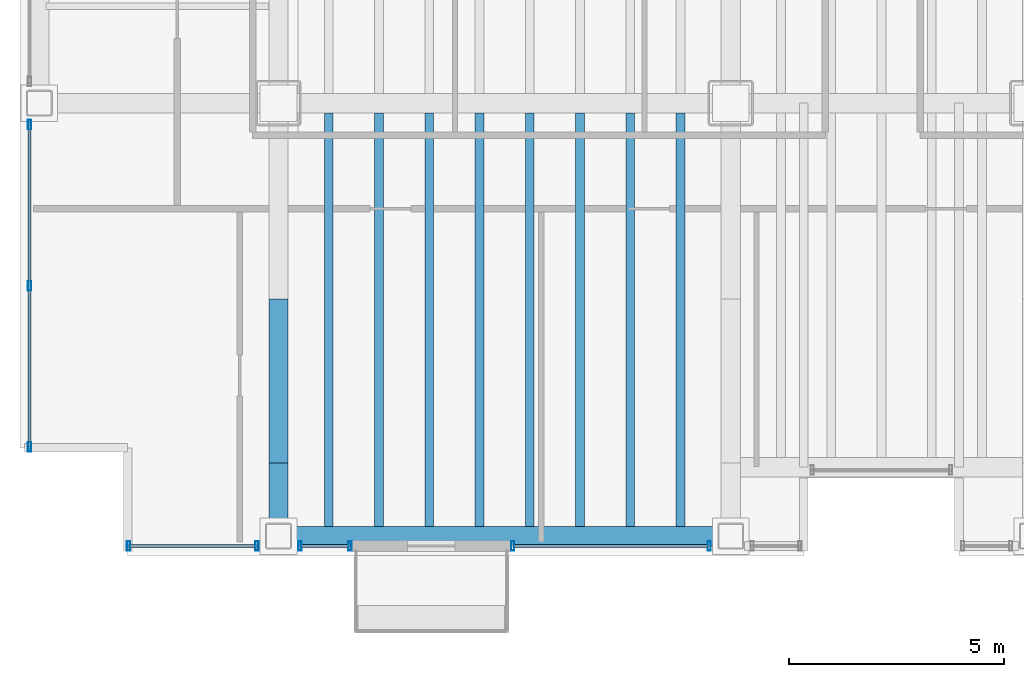
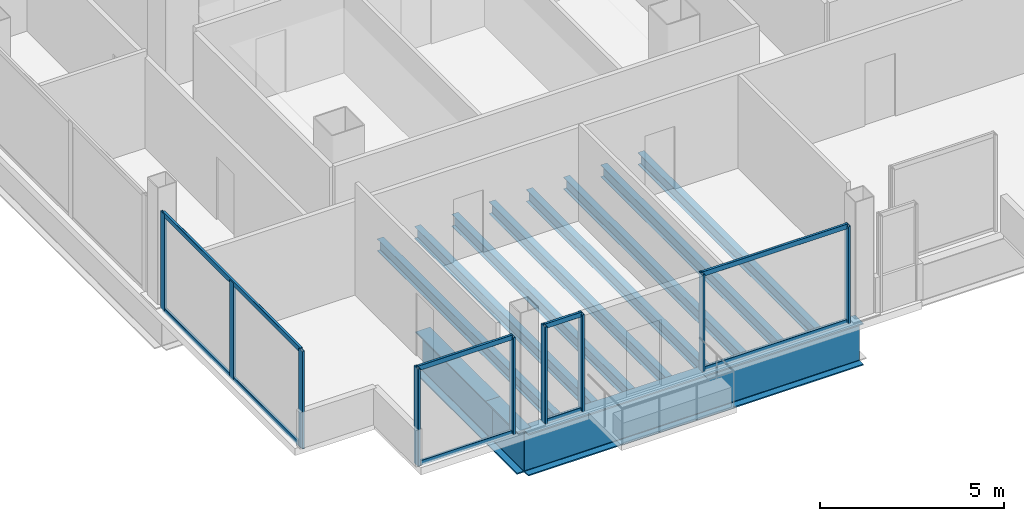
# One storey, part 2 of 21: 17 members, 11 beams, 4 elements without a shape of their own.
"""IFC4 building model written with IfcOpenShell, lengths in metres."""

from ifc_helpers import new_model, si_unit, direction, frame, origin, origin_2d, place, context, subcontext, project, spatial, hollow_rectangle, i_section, extrude, material, material_profile, profile_set, type_object, element, aggregate, save


model = new_model("IFC4")

# Units and contexts
model_context = context("Model", 3, precision=1e-05, world=origin(), true_north=direction((0.0, 1.0)))
body_context = subcontext(model_context, "Body", "Model", "MODEL_VIEW")
ifc_project = project(units=[si_unit("LENGTHUNIT", "METRE"), si_unit("AREAUNIT", "SQUARE_METRE"), si_unit("VOLUMEUNIT", "CUBIC_METRE"), si_unit("PLANEANGLEUNIT", "RADIAN"), si_unit("MASSUNIT", "GRAM", prefix="KILO")], contexts=[model_context])

# Site, building, storey
site_placement = place(None, origin())
site = spatial("IfcSite", under=ifc_project, at=site_placement, CompositionType="ELEMENT")
building_placement = place(site_placement, origin())
building = spatial("IfcBuilding", under=site, at=building_placement, Name="Noeulbin Bourse Tower", CompositionType="ELEMENT")
storey_placement = place(building_placement, frame((0.0, 0.0, 81.10009765625)))
storey = spatial("IfcBuildingStorey", under=building, at=storey_placement, Name="L20", CompositionType="ELEMENT", Elevation=81.10009765625)

# Beams
ifc_material_1 = material(Name="Steel S355", Category="steel")
ifc_material_profile_1 = material_profile(ifc_material_1, i_section(OverallWidth=0.199951171875, OverallDepth=0.39990234375, WebThickness=0.008056640625, FlangeThickness=0.012939453125, FilletRadius=0.01611328125, at=origin_2d()), Name="H-400x200x8x13", Category="LoadBearing")
ifc_profile_set_1 = profile_set([ifc_material_profile_1], Name="Steel S355")
beam_type_1 = type_object("IfcBeamType", Name="BM-SEC-400", PredefinedType="BEAM", material=ifc_profile_set_1)
for number, where, z_axis, x_axis, name in (
    (1, (14.666748046875, 10.175048828125, -0.440185546875), (0.0, 1.0, 0.0), (-1.0, 0.0, 0.0), "Tower Composite Joist L20-01"),
    (2, (15.833251953125, 10.175048828125, -0.440185546875), (0.0, 1.0, 0.0), (-1.0, 0.0, 0.0), "Tower Composite Joist L20-04"),
    (3, (17.0, 10.175048828125, -0.440185546875), (0.0, 1.0, 0.0), (-1.0, 0.0, 0.0), "Tower Composite Joist L20-07"),
    (4, (18.166748046875, 10.175048828125, -0.440185546875), (0.0, 1.0, 0.0), (-1.0, 0.0, 0.0), "Tower Composite Joist L20-10"),
    (5, (19.333251953125, 10.175048828125, -0.440185546875), (0.0, 1.0, 0.0), (-1.0, 0.0, 0.0), "Tower Composite Joist L20-13"),
    (6, (20.5, 10.175048828125, -0.440185546875), (0.0, 1.0, 0.0), (-1.0, 0.0, 0.0), "Tower Composite Joist L20-16"),
    (7, (21.666748046875, 10.175048828125, -0.440185546875), (0.0, 1.0, 0.0), (-1.0, 0.0, 0.0), "Tower Composite Joist L20-19"),
    (8, (22.833251953125, 10.175048828125, -0.440185546875), (0.0, 1.0, 0.0), (-1.0, 0.0, 0.0), "Tower Composite Joist L20-22"),
):
    element("IfcBeam", number, at=place(storey_placement, frame(where, z_axis=z_axis, x_axis=x_axis)), inside=storey, type_object=beam_type_1, Name=name, PredefinedType="BEAM", context=body_context, shape_type="SweptSolid", body=[
        extrude(i_section(OverallWidth=0.199951171875, OverallDepth=0.39990234375, WebThickness=0.008056640625, FlangeThickness=0.012939453125, FilletRadius=0.01611328125, at=origin_2d()), origin(), (0.0, 0.0, 1.0), 9.599853515625),
    ])
ifc_material_2 = material(Name="Steel S460", Category="steel")
ifc_material_profile_2 = material_profile(ifc_material_2, i_section(OverallWidth=0.449951171875, OverallDepth=1.39990234375, WebThickness=0.02392578125, FlangeThickness=0.0400390625, FilletRadius=0.02392578125, at=origin_2d()), Name="PG-1400x450x24x40", Category="LoadBearing")
ifc_profile_set_2 = profile_set([ifc_material_profile_2], Name="Steel S460")
beam_type_2 = type_object("IfcBeamType", Name="BM-TRF-1400", PredefinedType="USERDEFINED", material=ifc_profile_set_2)
beam_1_placement = place(storey_placement, frame((13.5, 9.949951171875, -0.940185546875), z_axis=(0.0, 1.0, 0.0), x_axis=(-1.0, 0.0, 0.0)))
element("IfcBeam", 9, at=beam_1_placement, inside=storey, type_object=beam_type_2, Name="Tower Primary Girder NS L20-1.1", ObjectType="GIRDER", PredefinedType="USERDEFINED", context=body_context, shape_type="SweptSolid", body=[
    extrude(i_section(OverallWidth=0.449951171875, OverallDepth=1.39990234375, WebThickness=0.02392578125, FlangeThickness=0.0400390625, FilletRadius=0.02392578125, at=origin_2d()), origin(), (0.0, 0.0, 1.0), 1.699951171875),
])
beam_2_placement = place(storey_placement, frame((13.5, 11.64990234375, -0.940185546875), z_axis=(0.0, 1.0, 0.0), x_axis=(-1.0, 0.0, 0.0)))
element("IfcBeam", 10, at=beam_2_placement, inside=storey, type_object=beam_type_2, Name="Tower Primary Girder NS L20-1.2", ObjectType="GIRDER", PredefinedType="USERDEFINED", context=body_context, shape_type="SweptSolid", body=[
    extrude(i_section(OverallWidth=0.449951171875, OverallDepth=1.39990234375, WebThickness=0.02392578125, FlangeThickness=0.0400390625, FilletRadius=0.02392578125, at=origin_2d()), origin(), (0.0, 0.0, 1.0), 3.800048828125),
])
beam_3_placement = place(storey_placement, frame((13.5, 9.949951171875, -0.940185546875), z_axis=(1.0, 0.0, 0.0), x_axis=(0.0, 1.0, 0.0)))
element("IfcBeam", 11, at=beam_3_placement, inside=storey, type_object=beam_type_2, Name="South Spandrel L20-1", ObjectType="GIRDER", PredefinedType="USERDEFINED", context=body_context, shape_type="SweptSolid", body=[
    extrude(i_section(OverallWidth=0.449951171875, OverallDepth=1.39990234375, WebThickness=0.02392578125, FlangeThickness=0.0400390625, FilletRadius=0.02392578125, at=origin_2d()), origin(), (0.0, 0.0, 1.0), 10.5),
])

# Curtain wall, members
ifc_material_3 = material(Name="Dark Solar-Control Double Glazing", Category="glass")
curtain_wall_type = type_object("IfcCurtainWallType", Name="CW-SYS-2", PredefinedType="NOTDEFINED", material=ifc_material_3)
curtain_wall_1_placement = place(storey_placement, origin())
curtain_wall_1 = element("IfcCurtainWall", 12, at=curtain_wall_1_placement, inside=storey, type_object=curtain_wall_type, Name="Unitised Curtain Wall CW-L20-S1-S1", PredefinedType="NOTDEFINED")
ifc_material_4 = material(Name="Anodised Aluminium 6063-T6", Category="aluminium")
ifc_material_profile_3 = material_profile(ifc_material_4, hollow_rectangle(XDim=0.074951171875, YDim=0.219970703125, WallThickness=0.0048828125, InnerFilletRadius=0.00244140625, OuterFilletRadius=0.0048828125, at=origin_2d()), Name="ALU-MULL-75x220x5", Category="LoadBearing")
ifc_profile_set_3 = profile_set([ifc_material_profile_3], Name="Anodised Aluminium 6063-T6")
member_type_1 = type_object("IfcMemberType", Name="CW-SYS-2-MUL", PredefinedType="MULLION", material=ifc_profile_set_3)
member_1_placement = place(storey_placement, frame((10.02001953125, 9.719970703125, -0.02001953125), z_axis=(0.0, 0.0, 1.0), x_axis=(1.0, 0.0, 0.0)))
member_1 = element("IfcMember", 13, at=member_1_placement, type_object=member_type_1, Name="Curtain Wall Mullion CW-L20-S1-S1-M00", PredefinedType="MULLION", context=body_context, shape_type="SweptSolid", body=[
    extrude(hollow_rectangle(XDim=0.074951171875, YDim=0.219970703125, WallThickness=0.0048828125, InnerFilletRadius=0.00244140625, OuterFilletRadius=0.0048828125, at=origin_2d()), origin(), (0.0, 0.0, 1.0), 3.219970703125),
])
member_2_placement = place(storey_placement, frame((13.0, 9.719970703125, -0.02001953125), z_axis=(0.0, 0.0, 1.0), x_axis=(1.0, 0.0, 0.0)))
member_2 = element("IfcMember", 14, at=member_2_placement, type_object=member_type_1, Name="Curtain Wall Mullion CW-L20-S1-S1-M01", PredefinedType="MULLION", context=body_context, shape_type="SweptSolid", body=[
    extrude(hollow_rectangle(XDim=0.074951171875, YDim=0.219970703125, WallThickness=0.0048828125, InnerFilletRadius=0.00244140625, OuterFilletRadius=0.0048828125, at=origin_2d()), origin(), (0.0, 0.0, 1.0), 3.219970703125),
])

curtain_wall_2_placement = place(storey_placement, origin())
curtain_wall_2 = element("IfcCurtainWall", 15, at=curtain_wall_2_placement, inside=storey, type_object=curtain_wall_type, Name="Unitised Curtain Wall CW-L20-S1-S2", PredefinedType="NOTDEFINED")
member_3_placement = place(storey_placement, frame((14.0, 9.719970703125, -0.02001953125), z_axis=(0.0, 0.0, 1.0), x_axis=(1.0, 0.0, 0.0)))
member_3 = element("IfcMember", 16, at=member_3_placement, type_object=member_type_1, Name="Curtain Wall Mullion CW-L20-S1-S2-M00", PredefinedType="MULLION", context=body_context, shape_type="SweptSolid", body=[
    extrude(hollow_rectangle(XDim=0.074951171875, YDim=0.219970703125, WallThickness=0.0048828125, InnerFilletRadius=0.00244140625, OuterFilletRadius=0.0048828125, at=origin_2d()), origin(), (0.0, 0.0, 1.0), 3.219970703125),
])
member_4_placement = place(storey_placement, frame((15.159912109375, 9.719970703125, -0.02001953125), z_axis=(0.0, 0.0, 1.0), x_axis=(1.0, 0.0, 0.0)))
member_4 = element("IfcMember", 17, at=member_4_placement, type_object=member_type_1, Name="Curtain Wall Mullion CW-L20-S1-S2-M01", PredefinedType="MULLION", context=body_context, shape_type="SweptSolid", body=[
    extrude(hollow_rectangle(XDim=0.074951171875, YDim=0.219970703125, WallThickness=0.0048828125, InnerFilletRadius=0.00244140625, OuterFilletRadius=0.0048828125, at=origin_2d()), origin(), (0.0, 0.0, 1.0), 3.219970703125),
])

curtain_wall_3_placement = place(storey_placement, origin())
curtain_wall_3 = element("IfcCurtainWall", 18, at=curtain_wall_3_placement, inside=storey, type_object=curtain_wall_type, Name="Unitised Curtain Wall CW-L20-S2-S1", PredefinedType="NOTDEFINED")
member_5_placement = place(storey_placement, frame((18.93994140625, 9.719970703125, -0.02001953125), z_axis=(0.0, 0.0, 1.0), x_axis=(1.0, 0.0, 0.0)))
member_5 = element("IfcMember", 19, at=member_5_placement, type_object=member_type_1, Name="Curtain Wall Mullion CW-L20-S2-S1-M00", PredefinedType="MULLION", context=body_context, shape_type="SweptSolid", body=[
    extrude(hollow_rectangle(XDim=0.074951171875, YDim=0.219970703125, WallThickness=0.0048828125, InnerFilletRadius=0.00244140625, OuterFilletRadius=0.0048828125, at=origin_2d()), origin(), (0.0, 0.0, 1.0), 3.219970703125),
])
member_6_placement = place(storey_placement, frame((23.5, 9.719970703125, -0.02001953125), z_axis=(0.0, 0.0, 1.0), x_axis=(1.0, 0.0, 0.0)))
member_6 = element("IfcMember", 20, at=member_6_placement, type_object=member_type_1, Name="Curtain Wall Mullion CW-L20-S2-S1-M01", PredefinedType="MULLION", context=body_context, shape_type="SweptSolid", body=[
    extrude(hollow_rectangle(XDim=0.074951171875, YDim=0.219970703125, WallThickness=0.0048828125, InnerFilletRadius=0.00244140625, OuterFilletRadius=0.0048828125, at=origin_2d()), origin(), (0.0, 0.0, 1.0), 3.219970703125),
])

curtain_wall_4_placement = place(storey_placement, origin())
curtain_wall_4 = element("IfcCurtainWall", 21, at=curtain_wall_4_placement, inside=storey, type_object=curtain_wall_type, Name="Unitised Curtain Wall CW-L20-W-S1", PredefinedType="NOTDEFINED")
member_7_placement = place(storey_placement, frame((7.719970703125, 12.02001953125, -0.02001953125), z_axis=(0.0, 0.0, 1.0), x_axis=(1.0, 0.0, 0.0)))
member_7 = element("IfcMember", 22, at=member_7_placement, type_object=member_type_1, Name="Curtain Wall Mullion CW-L20-W-S1-M00", PredefinedType="MULLION", context=body_context, shape_type="SweptSolid", body=[
    extrude(hollow_rectangle(XDim=0.074951171875, YDim=0.219970703125, WallThickness=0.0048828125, InnerFilletRadius=0.00244140625, OuterFilletRadius=0.0048828125, at=origin_2d()), origin(), (0.0, 0.0, 1.0), 3.219970703125),
])
member_8_placement = place(storey_placement, frame((7.719970703125, 15.760009765625, -0.02001953125), z_axis=(0.0, 0.0, 1.0), x_axis=(1.0, 0.0, 0.0)))
member_8 = element("IfcMember", 23, at=member_8_placement, type_object=member_type_1, Name="Curtain Wall Mullion CW-L20-W-S1-M01", PredefinedType="MULLION", context=body_context, shape_type="SweptSolid", body=[
    extrude(hollow_rectangle(XDim=0.074951171875, YDim=0.219970703125, WallThickness=0.0048828125, InnerFilletRadius=0.00244140625, OuterFilletRadius=0.0048828125, at=origin_2d()), origin(), (0.0, 0.0, 1.0), 3.219970703125),
])
member_9_placement = place(storey_placement, frame((7.719970703125, 19.5, -0.02001953125), z_axis=(0.0, 0.0, 1.0), x_axis=(1.0, 0.0, 0.0)))
member_9 = element("IfcMember", 24, at=member_9_placement, type_object=member_type_1, Name="Curtain Wall Mullion CW-L20-W-S1-M02", PredefinedType="MULLION", context=body_context, shape_type="SweptSolid", body=[
    extrude(hollow_rectangle(XDim=0.074951171875, YDim=0.219970703125, WallThickness=0.0048828125, InnerFilletRadius=0.00244140625, OuterFilletRadius=0.0048828125, at=origin_2d()), origin(), (0.0, 0.0, 1.0), 3.219970703125),
])

# Member
ifc_material_profile_4 = material_profile(ifc_material_4, hollow_rectangle(XDim=0.074951171875, YDim=0.159912109375, WallThickness=0.0048828125, InnerFilletRadius=0.00244140625, OuterFilletRadius=0.0048828125, at=origin_2d()), Name="ALU-TRAN-75x160x5", Category="LoadBearing")
ifc_profile_set_4 = profile_set([ifc_material_profile_4], Name="Anodised Aluminium 6063-T6")
member_type_2 = type_object("IfcMemberType", Name="CW-SYS-2-TRN", PredefinedType="USERDEFINED", material=ifc_profile_set_4)
member_10_placement = place(storey_placement, frame((10.030029296875, 9.719970703125, 0.010009765625), z_axis=(1.0, 0.0, 0.0), x_axis=(0.0, 1.0, 0.0)))
member_10 = element("IfcMember", 25, at=member_10_placement, type_object=member_type_2, Name="Curtain Wall Transom CW-L20-S1-S1-T00", ObjectType="TRANSOM", PredefinedType="USERDEFINED", context=body_context, shape_type="SweptSolid", body=[
    extrude(hollow_rectangle(XDim=0.074951171875, YDim=0.159912109375, WallThickness=0.0048828125, InnerFilletRadius=0.00244140625, OuterFilletRadius=0.0048828125, at=origin_2d()), origin(), (0.0, 0.0, 1.0), 2.9599609375),
])

member_11_placement = place(storey_placement, frame((10.030029296875, 9.719970703125, 3.169921875), z_axis=(1.0, 0.0, 0.0), x_axis=(0.0, 1.0, 0.0)))
member_11 = element("IfcMember", 26, at=member_11_placement, type_object=member_type_2, Name="Curtain Wall Transom CW-L20-S1-S1-T01", ObjectType="TRANSOM", PredefinedType="USERDEFINED", context=body_context, shape_type="SweptSolid", body=[
    extrude(hollow_rectangle(XDim=0.074951171875, YDim=0.159912109375, WallThickness=0.0048828125, InnerFilletRadius=0.00244140625, OuterFilletRadius=0.0048828125, at=origin_2d()), origin(), (0.0, 0.0, 1.0), 2.9599609375),
])

aggregate(curtain_wall_1, [member_1, member_2, member_10, member_11])

member_12_placement = place(storey_placement, frame((14.010009765625, 9.719970703125, 0.010009765625), z_axis=(1.0, 0.0, 0.0), x_axis=(0.0, 1.0, 0.0)))
member_12 = element("IfcMember", 27, at=member_12_placement, type_object=member_type_2, Name="Curtain Wall Transom CW-L20-S1-S2-T00", ObjectType="TRANSOM", PredefinedType="USERDEFINED", context=body_context, shape_type="SweptSolid", body=[
    extrude(hollow_rectangle(XDim=0.074951171875, YDim=0.159912109375, WallThickness=0.0048828125, InnerFilletRadius=0.00244140625, OuterFilletRadius=0.0048828125, at=origin_2d()), origin(), (0.0, 0.0, 1.0), 1.139892578125),
])

member_13_placement = place(storey_placement, frame((14.010009765625, 9.719970703125, 3.169921875), z_axis=(1.0, 0.0, 0.0), x_axis=(0.0, 1.0, 0.0)))
member_13 = element("IfcMember", 28, at=member_13_placement, type_object=member_type_2, Name="Curtain Wall Transom CW-L20-S1-S2-T01", ObjectType="TRANSOM", PredefinedType="USERDEFINED", context=body_context, shape_type="SweptSolid", body=[
    extrude(hollow_rectangle(XDim=0.074951171875, YDim=0.159912109375, WallThickness=0.0048828125, InnerFilletRadius=0.00244140625, OuterFilletRadius=0.0048828125, at=origin_2d()), origin(), (0.0, 0.0, 1.0), 1.139892578125),
])

aggregate(curtain_wall_2, [member_3, member_4, member_12, member_13])

member_14_placement = place(storey_placement, frame((18.949951171875, 9.719970703125, 0.010009765625), z_axis=(1.0, 0.0, 0.0), x_axis=(0.0, 1.0, 0.0)))
member_14 = element("IfcMember", 29, at=member_14_placement, type_object=member_type_2, Name="Curtain Wall Transom CW-L20-S2-S1-T00", ObjectType="TRANSOM", PredefinedType="USERDEFINED", context=body_context, shape_type="SweptSolid", body=[
    extrude(hollow_rectangle(XDim=0.074951171875, YDim=0.159912109375, WallThickness=0.0048828125, InnerFilletRadius=0.00244140625, OuterFilletRadius=0.0048828125, at=origin_2d()), origin(), (0.0, 0.0, 1.0), 4.5400390625),
])

member_15_placement = place(storey_placement, frame((18.949951171875, 9.719970703125, 3.169921875), z_axis=(1.0, 0.0, 0.0), x_axis=(0.0, 1.0, 0.0)))
member_15 = element("IfcMember", 30, at=member_15_placement, type_object=member_type_2, Name="Curtain Wall Transom CW-L20-S2-S1-T01", ObjectType="TRANSOM", PredefinedType="USERDEFINED", context=body_context, shape_type="SweptSolid", body=[
    extrude(hollow_rectangle(XDim=0.074951171875, YDim=0.159912109375, WallThickness=0.0048828125, InnerFilletRadius=0.00244140625, OuterFilletRadius=0.0048828125, at=origin_2d()), origin(), (0.0, 0.0, 1.0), 4.5400390625),
])

aggregate(curtain_wall_3, [member_5, member_6, member_14, member_15])

member_16_placement = place(storey_placement, frame((7.719970703125, 12.030029296875, 0.010009765625), z_axis=(0.0, 1.0, 0.0), x_axis=(-1.0, 0.0, 0.0)))
member_16 = element("IfcMember", 31, at=member_16_placement, type_object=member_type_2, Name="Curtain Wall Transom CW-L20-W-S1-T00", ObjectType="TRANSOM", PredefinedType="USERDEFINED", context=body_context, shape_type="SweptSolid", body=[
    extrude(hollow_rectangle(XDim=0.074951171875, YDim=0.159912109375, WallThickness=0.0048828125, InnerFilletRadius=0.00244140625, OuterFilletRadius=0.0048828125, at=origin_2d()), origin(), (0.0, 0.0, 1.0), 7.4599609375),
])

member_17_placement = place(storey_placement, frame((7.719970703125, 12.030029296875, 3.169921875), z_axis=(0.0, 1.0, 0.0), x_axis=(-1.0, 0.0, 0.0)))
member_17 = element("IfcMember", 32, at=member_17_placement, type_object=member_type_2, Name="Curtain Wall Transom CW-L20-W-S1-T01", ObjectType="TRANSOM", PredefinedType="USERDEFINED", context=body_context, shape_type="SweptSolid", body=[
    extrude(hollow_rectangle(XDim=0.074951171875, YDim=0.159912109375, WallThickness=0.0048828125, InnerFilletRadius=0.00244140625, OuterFilletRadius=0.0048828125, at=origin_2d()), origin(), (0.0, 0.0, 1.0), 7.4599609375),
])

aggregate(curtain_wall_4, [member_7, member_8, member_9, member_16, member_17])

save(model, "model.ifc")
